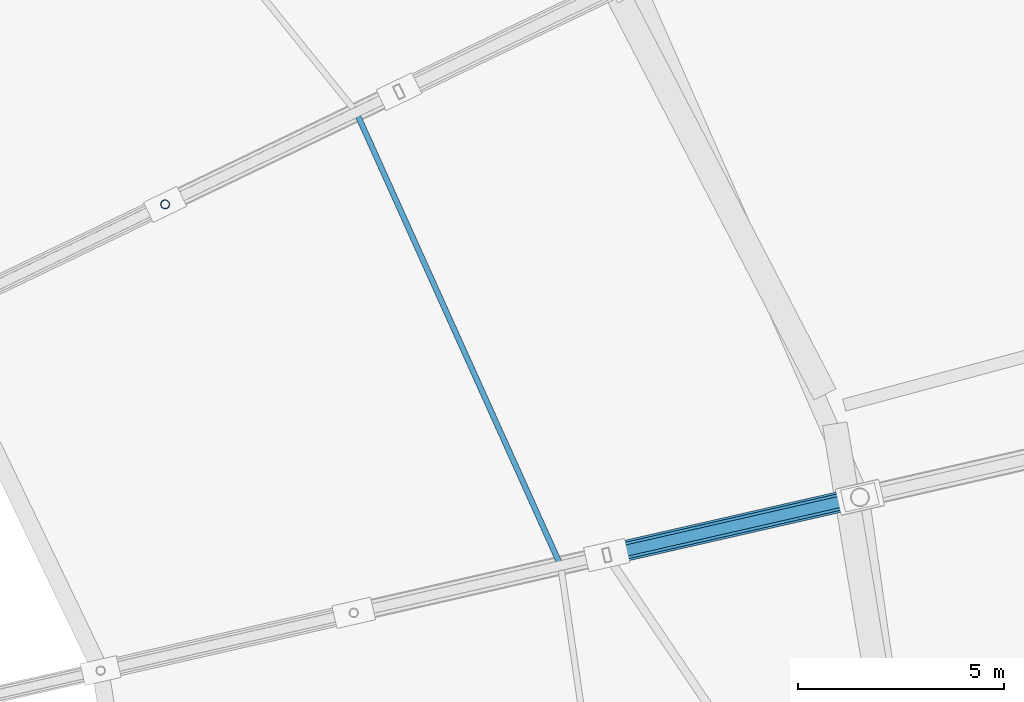
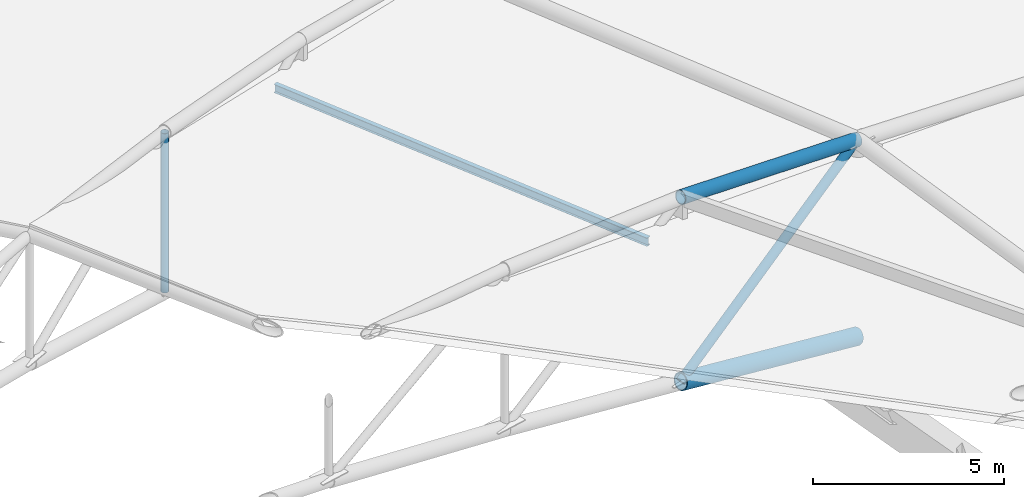
# One storey, part 74 of 108: 5 members.
"""IFC4 building model written with IfcOpenShell, lengths in metres."""

from ifc_helpers import new_model, si_unit, direction, frame, origin, origin_2d, place, context, subcontext, project, spatial, hollow_circle, i_section, extrude, material, material_profile, profile_set, type_object, element, save


model = new_model("IFC4")

# Units and contexts
model_context = context("Model", 3, precision=1e-05, world=origin(), true_north=direction((0.0, 1.0)))
body_context = subcontext(model_context, "Body", "Model", "MODEL_VIEW")
ifc_project = project(units=[si_unit("LENGTHUNIT", "METRE"), si_unit("AREAUNIT", "SQUARE_METRE"), si_unit("VOLUMEUNIT", "CUBIC_METRE"), si_unit("PLANEANGLEUNIT", "RADIAN"), si_unit("MASSUNIT", "GRAM", prefix="KILO")], contexts=[model_context])

# Site, building, storey
site_placement = place(None, origin())
site = spatial("IfcSite", under=ifc_project, at=site_placement, CompositionType="ELEMENT")
building_placement = place(site_placement, origin())
building = spatial("IfcBuilding", under=site, at=building_placement, Name="Zevraka Park Crest Stadium", CompositionType="ELEMENT")
storey_placement = place(building_placement, frame((0.0, 0.0, 29.39990234375)))
storey = spatial("IfcBuildingStorey", under=building, at=storey_placement, Name="RF", CompositionType="ELEMENT", Elevation=29.39990234375)

# Members
ifc_material_1 = material(Name="Steel S355", Category="steel")
ifc_material_profile_1 = material_profile(ifc_material_1, i_section(OverallWidth=0.135009765625, OverallDepth=0.27001953125, WebThickness=0.006591796875, FlangeThickness=0.01025390625, at=origin_2d()), Name="IPE 270")
ifc_profile_set_1 = profile_set([ifc_material_profile_1], Name="Steel S355")
member_type_1 = type_object("IfcMemberType", Name="PR04", PredefinedType="PURLIN", material=ifc_profile_set_1)
member_1_placement = place(storey_placement, frame((177.3701171875, 103.58203125, 7.488037109375), z_axis=(-0.410939963153, 0.911662408287, 0.0), x_axis=(-0.911662408287, -0.410939963153, 0.0)))
element("IfcMember", 1, at=member_1_placement, inside=storey, type_object=member_type_1, Name="Canopy Roof Purlin PR04 OUTER-02-2", PredefinedType="PURLIN", context=body_context, shape_type="SweptSolid", body=[
    extrude(i_section(OverallWidth=0.135009765625, OverallDepth=0.27001953125, WebThickness=0.006591796875, FlangeThickness=0.01025390625, at=origin_2d()), origin(), (0.0, 0.0, 1.0), 12.068115234375),
])
ifc_material_2 = material(Name="Steel S355", Category="steel")
ifc_material_profile_2 = material_profile(ifc_material_2, hollow_circle(Radius=0.25390625, WallThickness=0.030029296875, at=origin_2d()), Name="CHS 508.0x30")
ifc_profile_set_2 = profile_set([ifc_material_profile_2], Name="Steel S355")
member_type_2 = type_object("IfcMemberType", Name="TC01", PredefinedType="CHORD", material=ifc_profile_set_2)
member_2_placement = place(storey_placement, frame((184.632080078125, 105.239990234375, 0.900146484375), z_axis=(-0.946688466518, -0.216107475285, 0.2389110849), x_axis=(0.222552266698, -0.974920760158, 0.0)))
element("IfcMember", 2, at=member_2_placement, inside=storey, type_object=member_type_2, Name="Roof Truss Bottom Chord TC01 T02-3", PredefinedType="CHORD", context=body_context, shape_type="SweptSolid", body=[
    extrude(hollow_circle(Radius=0.25390625, WallThickness=0.030029296875, at=origin_2d()), origin(), (0.0, 0.0, 1.0), 6.488037109375),
])
ifc_material_3 = material(Name="Steel S355", Category="steel")
ifc_material_profile_3 = material_profile(ifc_material_3, hollow_circle(Radius=0.203125, WallThickness=0.02001953125, at=origin_2d()), Name="CHS 406.4x20")
ifc_profile_set_3 = profile_set([ifc_material_profile_3], Name="Steel S355")
member_type_3 = type_object("IfcMemberType", Name="TC03", PredefinedType="CHORD", material=ifc_profile_set_3)
member_3_placement = place(storey_placement, frame((184.632080078125, 105.239990234375, 7.2001953125), z_axis=(-0.959076254167, -0.218935325848, 0.179555177563), x_axis=(0.222552266698, -0.974920760158, 0.0)))
element("IfcMember", 3, at=member_3_placement, inside=storey, type_object=member_type_3, Name="Roof Truss Top Chord TC03 T02-3", PredefinedType="CHORD", context=body_context, shape_type="SweptSolid", body=[
    extrude(hollow_circle(Radius=0.203125, WallThickness=0.02001953125, at=origin_2d()), origin(), (0.0, 0.0, 1.0), 6.404052734375),
])
ifc_material_4 = material(Name="Steel S355", Category="steel")
ifc_material_profile_4 = material_profile(ifc_material_4, hollow_circle(Radius=0.136474609375, WallThickness=0.012451171875, at=origin_2d()), Name="CHS 273.0x12.5")
ifc_profile_set_4 = profile_set([ifc_material_profile_4], Name="Steel S355")
member_type_4 = type_object("IfcMemberType", Name="WB01", PredefinedType="BRACE", material=ifc_profile_set_4)
member_4_placement = place(storey_placement, frame((178.489990234375, 103.837890625, 2.4501953125), z_axis=(0.778455428701, 0.177703693737, 0.602020384005), x_axis=(-0.222552266698, 0.974920760158, 0.0)))
element("IfcMember", 4, at=member_4_placement, inside=storey, type_object=member_type_4, Name="Roof Truss Web Diagonal WB01 T02-3", PredefinedType="BRACE", context=body_context, shape_type="SweptSolid", body=[
    extrude(hollow_circle(Radius=0.136474609375, WallThickness=0.012451171875, at=origin_2d()), origin(), (0.0, 0.0, 1.0), 7.89013671875),
])
ifc_material_5 = material(Name="Steel S355", Category="steel")
ifc_material_profile_5 = material_profile(ifc_material_5, hollow_circle(Radius=0.109619140625, WallThickness=0.010009765625, at=origin_2d()), Name="CHS 219.1x10")
ifc_profile_set_5 = profile_set([ifc_material_profile_5], Name="Steel S355")
member_type_5 = type_object("IfcMemberType", Name="WB02", PredefinedType="BRACE", material=ifc_profile_set_5)
member_5_placement = place(storey_placement, frame((167.77001953125, 112.34912109375, 3.9501953125), z_axis=(0.0, 0.0, 1.0), x_axis=(0.90100131981, 0.43381634559, 0.0)))
element("IfcMember", 5, at=member_5_placement, inside=storey, type_object=member_type_5, Name="Roof Truss Web Post WB02 T03-4", PredefinedType="BRACE", context=body_context, shape_type="SweptSolid", body=[
    extrude(hollow_circle(Radius=0.109619140625, WallThickness=0.010009765625, at=origin_2d()), origin(), (0.0, 0.0, 1.0), 5.099853515625),
])

save(model, "model.ifc")
